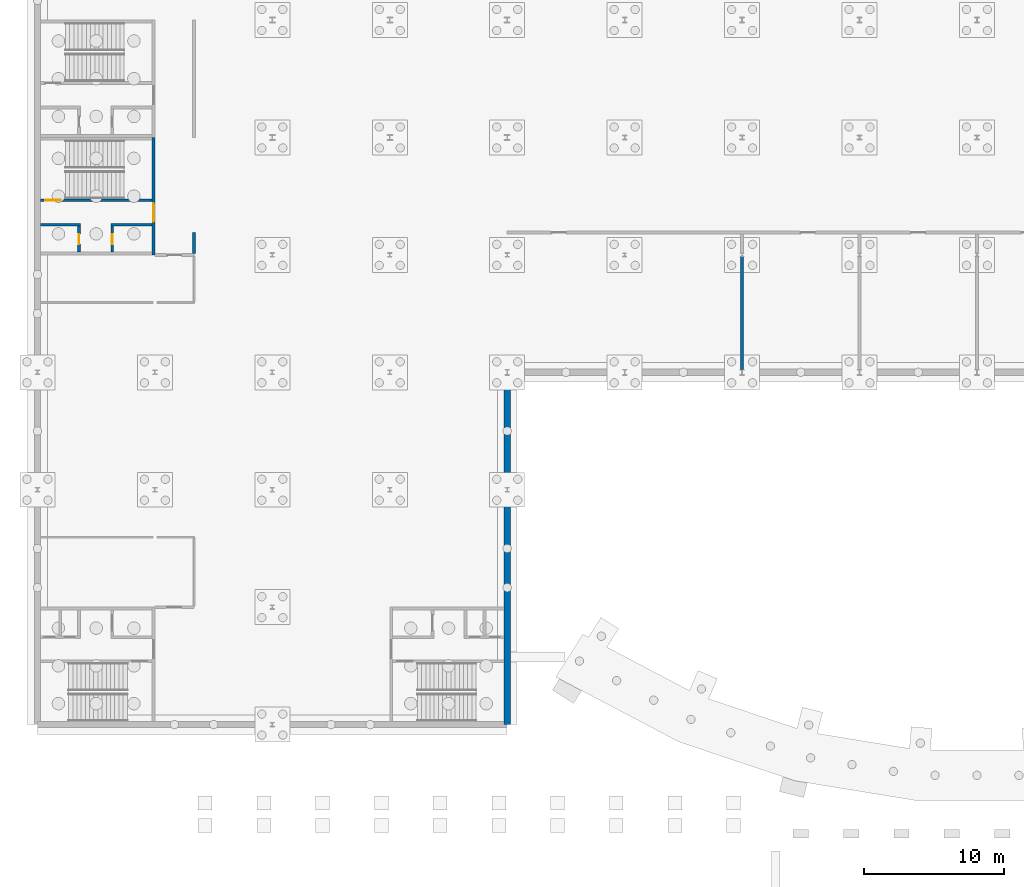
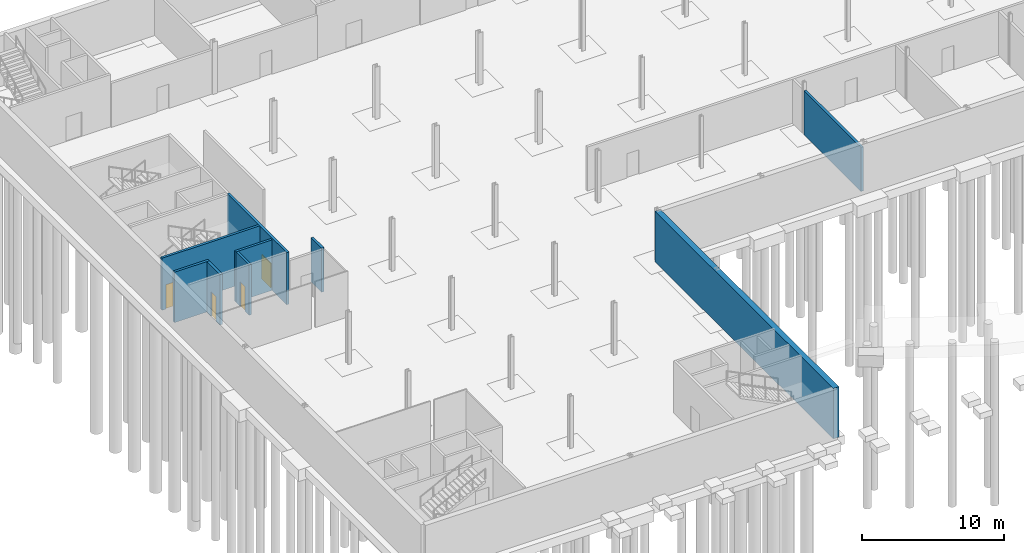
# One storey, part 21 of 35: 9 walls, 4 doors, 4 openings.
"""IFC4 building model written with IfcOpenShell, lengths in metres."""

import ifcopenshell
import ifcopenshell.guid

model = None  # the IFC model being written
_history = None  # IfcOwnerHistory: only IFC2X3 demands one
_inside = {}  # id of a spatial element -> (the spatial element, [elements in it])
_under = {}  # id of a project, library or spatial element -> (it, [spatial elements below it])
_declared = {}  # id of a project -> (the project, [libraries it declares])
_typed = {}  # id of a type object -> (the type object, [elements of that type])
_made_of = {}  # id of a material, layer set ... -> (it, [elements and type objects made of it])


def new_model(schema):
    """Start an empty IFC model of exactly this schema.

    Asked for "IFC4X3", IfcOpenShell would pick the latest addendum, in which some entities
    have other attributes; the version numbers below select the first issue.
    IFC2X3 requires an IfcOwnerHistory on every rooted entity: one is made here for all.
    """
    global model, _history
    if schema == "IFC4X3":
        model = ifcopenshell.file(schema_version=(4, 3, 0, 0))
    else:
        model = ifcopenshell.file(schema=schema)
    _inside.clear()
    _under.clear()
    _declared.clear()
    _typed.clear()
    _made_of.clear()
    _history = None
    if model.schema == "IFC2X3":
        org = make("IfcOrganization", Name="unknown")
        user = make(
            "IfcPersonAndOrganization",
            ThePerson=make("IfcPerson", FamilyName="unknown"),
            TheOrganization=org,
        )
        app = make(
            "IfcApplication",
            ApplicationDeveloper=org,
            Version="unknown",
            ApplicationFullName="unknown",
            ApplicationIdentifier="unknown",
        )
        _history = make(
            "IfcOwnerHistory",
            OwningUser=user,
            OwningApplication=app,
            ChangeAction="ADDED",
            CreationDate=0,
        )
    return model


def make(cls, **values):
    """One entity of the class cls with the attributes given. An attribute that is None is left unset."""
    return model.create_entity(
        cls, **{name: value for name, value in values.items() if value is not None}
    )


def rooted(cls, **values):
    """An entity with a GlobalId (a new one), such as an element, a storey or a relation."""
    return make(cls, GlobalId=ifcopenshell.guid.new(), OwnerHistory=_history, **values)


def si_unit(unit_type, name, prefix=None):
    """IfcSIUnit, for example si_unit("LENGTHUNIT", "METRE", prefix="MILLI")."""
    return make("IfcSIUnit", UnitType=unit_type, Prefix=prefix, Name=name)


def assignment(units):
    """IfcUnitAssignment: the units of a project."""
    return None if units is None else make("IfcUnitAssignment", Units=units)


def point(xyz):
    """IfcCartesianPoint."""
    return None if xyz is None else make("IfcCartesianPoint", Coordinates=xyz)


def direction(xyz):
    """IfcDirection."""
    return None if xyz is None else make("IfcDirection", DirectionRatios=xyz)


def frame(location, z_axis=None, x_axis=None):
    """IfcAxis2Placement3D, a coordinate frame: its origin and axes. An axis left out is left unset."""
    return make(
        "IfcAxis2Placement3D",
        Location=point(location),
        Axis=direction(z_axis),
        RefDirection=direction(x_axis),
    )


def frame_2d(location, x_axis=None):
    """IfcAxis2Placement2D, a coordinate frame in the plane: its origin and x axis."""
    return make(
        "IfcAxis2Placement2D", Location=point(location), RefDirection=direction(x_axis)
    )


def origin():
    """The frame at (0, 0, 0) with its axes left unset."""
    return frame((0.0, 0.0, 0.0))


def place(relative_to, where):
    """IfcLocalPlacement: puts the frame where relative to a parent placement (None: the world)."""
    return make(
        "IfcLocalPlacement", PlacementRelTo=relative_to, RelativePlacement=where
    )


def context(
    kind, dimensions, precision=None, world=None, true_north=None, identifier=None
):
    """IfcGeometricRepresentationContext, for example the 3D "Model" context."""
    return make(
        "IfcGeometricRepresentationContext",
        ContextIdentifier=identifier,
        ContextType=kind,
        CoordinateSpaceDimension=dimensions,
        Precision=precision,
        WorldCoordinateSystem=world,
        TrueNorth=true_north,
    )


def subcontext(parent, identifier, kind, view, scale=None):
    """IfcGeometricRepresentationSubContext, for example "Body" below "Model"."""
    return make(
        "IfcGeometricRepresentationSubContext",
        ContextIdentifier=identifier,
        ContextType=kind,
        ParentContext=parent,
        TargetScale=scale,
        TargetView=view,
    )


def project(units=None, contexts=None):
    """IfcProject with its units and contexts."""
    return rooted(
        "IfcProject",
        Name="project",
        RepresentationContexts=contexts,
        UnitsInContext=assignment(units),
    )


def spatial(cls, under=None, at=None, **own):
    """A site, building, storey or space (cls), placed at a placement, below another one or the project."""
    s = rooted(cls, ObjectPlacement=at, **own)
    if under is not None:
        _under.setdefault(under.id(), (under, []))[1].append(s)
    return s


def profile(cls, at=None, kind="AREA", **sizes):
    """A parametric profile (cls). Its sizes go by their IFC names, for example OverallWidth=200.0."""
    return make(cls, ProfileType=kind, Position=at, **sizes)


def rectangle(**sizes):
    """IfcRectangleProfileDef."""
    return profile("IfcRectangleProfileDef", **sizes)


def extrude(swept, where, along, depth):
    """IfcExtrudedAreaSolid: the profile swept, set in the frame where, extruded along a direction by depth."""
    return make(
        "IfcExtrudedAreaSolid",
        SweptArea=swept,
        Position=where,
        ExtrudedDirection=direction(along),
        Depth=depth,
    )


def shape(context_of_items, identifier, shape_type, items):
    """IfcShapeRepresentation: the items that make up one representation, for example the "Body"."""
    return make(
        "IfcShapeRepresentation",
        ContextOfItems=context_of_items,
        RepresentationIdentifier=identifier,
        RepresentationType=shape_type,
        Items=items,
    )


def material(Name=None, Category=None):
    """IfcMaterial."""
    return make("IfcMaterial", Name=Name, Category=Category)


def layer(
    of_material, thickness, ventilated=None, Name=None, Category=None, Priority=None
):
    """IfcMaterialLayer: one layer of a wall or slab, of a material (None: an air gap)."""
    return make(
        "IfcMaterialLayer",
        Material=of_material,
        LayerThickness=thickness,
        IsVentilated=ventilated,
        Name=Name,
        Category=Category,
        Priority=Priority,
    )


def layer_set(layers, Name=None):
    """IfcMaterialLayerSet."""
    return make("IfcMaterialLayerSet", MaterialLayers=layers, LayerSetName=Name)


def made_of(thing, what):
    """Note that an element or type object is made of a material, layer set ...; save() writes the relation."""
    if what is not None:
        _made_of.setdefault(what.id(), (what, []))[1].append(thing)
    return thing


def type_object(cls, material=None, **own):
    """A type object (cls), such as IfcWallType, which elements share."""
    return made_of(rooted(cls, **own), material)


def element(
    cls,
    number,
    at=None,
    inside=None,
    cuts=None,
    type_object=None,
    material=None,
    context=None,
    identifier="Body",
    shape_type=None,
    held_by="IfcProductDefinitionShape",
    body=None,
    shapes=None,
    **own,
):
    """One element of the class cls, such as IfcWall. Its Tag is "e" and its number.

    at: its placement. inside: the storey or other place that contains it. cuts: it is an
    opening in that element (IfcRelVoidsElement). A single representation is given by context,
    identifier, shape_type and body (its items); several are given by shapes. held_by: the class
    of the entity that holds the representations. save() writes the other relations.
    """
    e = rooted(cls, Tag="e%d" % number, ObjectPlacement=at, **own)
    if body is not None:
        shapes = [shape(context, identifier, shape_type, body)]
    if shapes is not None:
        e.Representation = make(held_by, Representations=shapes)
    if inside is not None:
        _inside.setdefault(inside.id(), (inside, []))[1].append(e)
    if cuts is not None:
        rooted(
            "IfcRelVoidsElement", RelatingBuildingElement=cuts, RelatedOpeningElement=e
        )
    if type_object is not None:
        _typed.setdefault(type_object.id(), (type_object, []))[1].append(e)
    return made_of(e, material)


def fill(opening, filler):
    """IfcRelFillsElement: the door or window that sits in an opening."""
    return rooted(
        "IfcRelFillsElement",
        RelatingOpeningElement=opening,
        RelatedBuildingElement=filler,
    )


def aggregate(whole, parts):
    """IfcRelAggregates: a whole, such as a stair, and the parts it consists of."""
    return rooted("IfcRelAggregates", RelatingObject=whole, RelatedObjects=parts)


def save(model, path):
    """Write the relations noted so far, then the file.

    IfcRelAggregates (storeys below a building ...), IfcRelContainedInSpatialStructure (elements
    in a storey), IfcRelDefinesByType, IfcRelAssociatesMaterial and IfcRelDeclares: one each for
    every whole, place, type object, material and project.
    """
    for whole, parts in _under.values():
        aggregate(whole, parts)
    for where, things in _inside.values():
        rooted(
            "IfcRelContainedInSpatialStructure",
            RelatedElements=things,
            RelatingStructure=where,
        )
    for kind, things in _typed.values():
        rooted("IfcRelDefinesByType", RelatedObjects=things, RelatingType=kind)
    for what, things in _made_of.values():
        rooted("IfcRelAssociatesMaterial", RelatedObjects=things, RelatingMaterial=what)
    for by, libraries in _declared.values():
        rooted("IfcRelDeclares", RelatingContext=by, RelatedDefinitions=libraries)
    model.write(path)


model = new_model("IFC4")

# Units and contexts
model_context = context("Model", 3, precision=1e-05, world=origin(), true_north=direction((0.0, 1.0)))
body_context = subcontext(model_context, "Body", "Model", "MODEL_VIEW")
ifc_project = project(units=[si_unit("LENGTHUNIT", "METRE"), si_unit("AREAUNIT", "SQUARE_METRE"), si_unit("VOLUMEUNIT", "CUBIC_METRE"), si_unit("PLANEANGLEUNIT", "RADIAN"), si_unit("MASSUNIT", "GRAM", prefix="KILO")], contexts=[model_context])

# Site, building, storey
site_placement = place(None, origin())
site = spatial("IfcSite", under=ifc_project, at=site_placement, CompositionType="ELEMENT")
building_placement = place(site_placement, origin())
building = spatial("IfcBuilding", under=site, at=building_placement, Name="Ardhachandra Cancer Care Centre", CompositionType="ELEMENT")
storey_placement = place(building_placement, frame((0.0, 0.0, -4.5)))
storey = spatial("IfcBuildingStorey", under=building, at=storey_placement, Name="B1", CompositionType="ELEMENT", Elevation=-4.5)

# Wall
ifc_material_1 = material(Name="Gypsum board corridor partition on steel studs", Category="steel")
ifc_layer_1 = layer(ifc_material_1, 0.199951171875)
ifc_layer_set_1 = layer_set([ifc_layer_1], Name="Gypsum board corridor partition on steel studs")
wall_type_1 = type_object("IfcWallType", Name="CORRIDOR WALL 200 EI 120", PredefinedType="PARTITIONING", material=ifc_layer_set_1)
wall_1_placement = place(storey_placement, frame((22.0, 63.10009765625, 0.0), z_axis=(0.0, 0.0, 1.0), x_axis=(0.0, 1.0, 0.0)))
element("IfcWall", 1, at=wall_1_placement, inside=storey, type_object=wall_type_1, Name="R/wall/B1/v0022000_0063100", PredefinedType="PARTITIONING", context=body_context, shape_type="SweptSolid", body=[
    extrude(rectangle(XDim=1.5, YDim=0.199951171875, at=frame_2d((0.75, 0.0))), origin(), (0.0, 0.0, 1.0), 3.800048828125),
])

# Wall, opening, door
ifc_material_2 = material(Name="Concrete M40", Category="concrete")
ifc_layer_2 = layer(ifc_material_2, 0.199951171875)
ifc_layer_set_2 = layer_set([ifc_layer_2], Name="Concrete M40")
wall_type_2 = type_object("IfcWallType", Name="Core wall RC 200", PredefinedType="SOLIDWALL", material=ifc_layer_set_2)
wall_2_placement = place(storey_placement, frame((19.10009765625, 71.39990234375, 0.0), z_axis=(0.0, 0.0, 1.0), x_axis=(0.0, -1.0, 0.0)))
wall_2 = element("IfcWall", 2, at=wall_2_placement, inside=storey, type_object=wall_type_2, Name="Core wall K3 ENT", PredefinedType="SOLIDWALL", context=body_context, shape_type="SweptSolid", body=[
    extrude(rectangle(XDim=8.39990234375, YDim=0.199951171875, at=frame_2d((4.199951171875, 0.0))), origin(), (0.0, 0.0, 1.0), 4.5),
])
opening_1_placement = place(wall_2_placement, frame((4.72509765625, 0.0, 0.0)))
opening_1 = element("IfcOpeningElement", 3, at=opening_1_placement, cuts=wall_2, Name="Opening B1-K03-1", PredefinedType="OPENING", context=body_context, shape_type="SweptSolid", body=[
    extrude(rectangle(XDim=1.300048828125, YDim=2.10009765625, at=frame_2d((0.64990234375, 1.050048828125))), frame((0.0, 0.10986328125, 0.0), z_axis=(0.0, -1.0, 0.0), x_axis=(1.0, 0.0, 0.0)), (0.0, 0.0, 1.0), 0.219970703125),
])
ifc_material_3 = material(Name="Steel door set", Category="steel")
door_type_1 = type_object("IfcDoorType", Name="Core entry double door 1300x2100 FD60", OperationType="DOUBLE_DOOR_DOUBLE_SWING", PredefinedType="DOOR", material=ifc_material_3)
door_1_placement = place(opening_1_placement, origin())
door_1 = element("IfcDoor", 4, at=door_1_placement, inside=storey, type_object=door_type_1, Name="Core entry door", OperationType="DOUBLE_DOOR_DOUBLE_SWING", OverallHeight=2.10009765625, OverallWidth=1.300048828125, PredefinedType="DOOR", context=body_context, shape_type="SweptSolid", body=[
    extrude(rectangle(XDim=1.300048828125, YDim=2.10009765625, at=frame_2d((0.64990234375, 1.050048828125))), frame((0.0, 0.02490234375, 0.0), z_axis=(0.0, -1.0, 0.0), x_axis=(1.0, 0.0, 0.0)), (0.0, 0.0, 1.0), 0.050048828125),
])
fill(opening_1, door_1)

wall_3_placement = place(storey_placement, frame((19.0, 66.89990234375, 0.0), z_axis=(0.0, 0.0, 1.0), x_axis=(-1.0, 0.0, 0.0)))
wall_3 = element("IfcWall", 5, at=wall_3_placement, inside=storey, type_object=wall_type_2, Name="Core wall K3 P1", PredefinedType="SOLIDWALL", context=body_context, shape_type="SweptSolid", body=[
    extrude(rectangle(XDim=7.97509765625, YDim=0.199951171875, at=frame_2d((3.987548828125, 0.0))), origin(), (0.0, 0.0, 1.0), 4.5),
])
opening_2_placement = place(wall_3_placement, frame((6.53759765625, 0.0, 0.0)))
opening_2 = element("IfcOpeningElement", 6, at=opening_2_placement, cuts=wall_3, Name="Opening B1-K03-2", PredefinedType="OPENING", context=body_context, shape_type="SweptSolid", body=[
    extrude(rectangle(XDim=1.10009765625, YDim=2.10009765625, at=frame_2d((0.550048828125, 1.050048828125))), frame((0.0, 0.10986328125, 0.0), z_axis=(0.0, -1.0, 0.0), x_axis=(1.0, 0.0, 0.0)), (0.0, 0.0, 1.0), 0.219970703125),
])
ifc_material_4 = material(Name="Steel door set", Category="steel")
door_type_2 = type_object("IfcDoorType", Name="Stair door 1100x2100 FD60S", OperationType="NOTDEFINED", PredefinedType="DOOR", material=ifc_material_4)
door_2_placement = place(opening_2_placement, origin())
door_2 = element("IfcDoor", 7, at=door_2_placement, inside=storey, type_object=door_type_2, Name="Stair door", OperationType="SINGLE_SWING_LEFT", OverallHeight=2.10009765625, OverallWidth=1.10009765625, PredefinedType="DOOR", context=body_context, shape_type="SweptSolid", body=[
    extrude(rectangle(XDim=1.10009765625, YDim=2.10009765625, at=frame_2d((0.550048828125, 1.050048828125))), frame((0.0, 0.02490234375, 0.0), z_axis=(0.0, -1.0, 0.0), x_axis=(1.0, 0.0, 0.0)), (0.0, 0.0, 1.0), 0.050048828125),
])
fill(opening_2, door_2)

# Walls
wall_4_placement = place(storey_placement, frame((19.0, 65.14990234375, 0.0), z_axis=(0.0, 0.0, 1.0), x_axis=(-1.0, 0.0, 0.0)))
element("IfcWall", 8, at=wall_4_placement, inside=storey, type_object=wall_type_2, Name="Core wall K3 P2A", PredefinedType="SOLIDWALL", context=body_context, shape_type="SweptSolid", body=[
    extrude(rectangle(XDim=2.949951171875, YDim=0.199951171875, at=frame_2d((1.47509765625, 0.0))), origin(), (0.0, 0.0, 1.0), 4.35009765625),
])
wall_5_placement = place(storey_placement, frame((13.875, 65.14990234375, 0.0), z_axis=(0.0, 0.0, 1.0), x_axis=(-1.0, 0.0, 0.0)))
element("IfcWall", 9, at=wall_5_placement, inside=storey, type_object=wall_type_2, Name="Core wall K3 P2B", PredefinedType="SOLIDWALL", context=body_context, shape_type="SweptSolid", body=[
    extrude(rectangle(XDim=2.85009765625, YDim=0.199951171875, at=frame_2d((1.425048828125, 0.0))), origin(), (0.0, 0.0, 1.0), 4.35009765625),
])

# Wall, opening, door
wall_6_placement = place(storey_placement, frame((16.14990234375, 65.050048828125, 0.0), z_axis=(0.0, 0.0, 1.0), x_axis=(0.0, -1.0, 0.0)))
wall_6 = element("IfcWall", 10, at=wall_6_placement, inside=storey, type_object=wall_type_2, Name="Core wall K3 W1", PredefinedType="SOLIDWALL", context=body_context, shape_type="SweptSolid", body=[
    extrude(rectangle(XDim=1.85009765625, YDim=0.199951171875, at=frame_2d((0.925048828125, 0.0))), origin(), (0.0, 0.0, 1.0), 4.35009765625),
])
opening_3_placement = place(wall_6_placement, frame((0.574951171875, 0.0, 0.0)))
opening_3 = element("IfcOpeningElement", 11, at=opening_3_placement, cuts=wall_6, Name="Opening B1-K03-3", PredefinedType="OPENING", context=body_context, shape_type="SweptSolid", body=[
    extrude(rectangle(XDim=0.699951171875, YDim=2.10009765625, at=frame_2d((0.35009765625, 1.050048828125))), frame((0.0, 0.10986328125, 0.0), z_axis=(0.0, -1.0, 0.0), x_axis=(1.0, 0.0, 0.0)), (0.0, 0.0, 1.0), 0.219970703125),
])
ifc_material_5 = material(Name="Steel door set", Category="steel")
door_type_3 = type_object("IfcDoorType", Name="Riser access door 700x2100 FD120S", OperationType="NOTDEFINED", PredefinedType="DOOR", material=ifc_material_5)
door_3_placement = place(opening_3_placement, origin())
door_3 = element("IfcDoor", 12, at=door_3_placement, inside=storey, type_object=door_type_3, Name="Riser access door", OperationType="SINGLE_SWING_RIGHT", OverallHeight=2.10009765625, OverallWidth=0.699951171875, PredefinedType="DOOR", context=body_context, shape_type="SweptSolid", body=[
    extrude(rectangle(XDim=0.699951171875, YDim=2.10009765625, at=frame_2d((0.35009765625, 1.050048828125))), frame((0.0, 0.02490234375, 0.0), z_axis=(0.0, -1.0, 0.0), x_axis=(1.0, 0.0, 0.0)), (0.0, 0.0, 1.0), 0.050048828125),
])
fill(opening_3, door_3)

wall_7_placement = place(storey_placement, frame((13.77490234375, 65.050048828125, 0.0), z_axis=(0.0, 0.0, 1.0), x_axis=(0.0, -1.0, 0.0)))
wall_7 = element("IfcWall", 13, at=wall_7_placement, inside=storey, type_object=wall_type_2, Name="Core wall K3 W2", PredefinedType="SOLIDWALL", context=body_context, shape_type="SweptSolid", body=[
    extrude(rectangle(XDim=1.85009765625, YDim=0.199951171875, at=frame_2d((0.925048828125, 0.0))), origin(), (0.0, 0.0, 1.0), 4.35009765625),
])
opening_4_placement = place(wall_7_placement, frame((0.574951171875, 0.0, 0.0)))
opening_4 = element("IfcOpeningElement", 14, at=opening_4_placement, cuts=wall_7, Name="Opening B1-K03-4", PredefinedType="OPENING", context=body_context, shape_type="SweptSolid", body=[
    extrude(rectangle(XDim=0.699951171875, YDim=2.10009765625, at=frame_2d((0.35009765625, 1.050048828125))), frame((0.0, 0.10986328125, 0.0), z_axis=(0.0, -1.0, 0.0), x_axis=(1.0, 0.0, 0.0)), (0.0, 0.0, 1.0), 0.219970703125),
])
door_4_placement = place(opening_4_placement, origin())
door_4 = element("IfcDoor", 15, at=door_4_placement, inside=storey, type_object=door_type_3, Name="Riser access door", OperationType="SINGLE_SWING_RIGHT", OverallHeight=2.10009765625, OverallWidth=0.699951171875, PredefinedType="DOOR", context=body_context, shape_type="SweptSolid", body=[
    extrude(rectangle(XDim=0.699951171875, YDim=2.10009765625, at=frame_2d((0.35009765625, 1.050048828125))), frame((0.0, 0.02490234375, 0.0), z_axis=(0.0, -1.0, 0.0), x_axis=(1.0, 0.0, 0.0)), (0.0, 0.0, 1.0), 0.050048828125),
])
fill(opening_4, door_4)

# Walls
ifc_material_6 = material(Name="Brick masonry", Category="masonry")
ifc_layer_3 = layer(ifc_material_6, 0.199951171875)
ifc_layer_set_3 = layer_set([ifc_layer_3], Name="Brick masonry")
wall_type_3 = type_object("IfcWallType", Name="PLANT ROOM WALL 200", PredefinedType="SOLIDWALL", material=ifc_layer_set_3)
wall_8_placement = place(storey_placement, frame((61.199951171875, 54.800048828125, 0.0), z_axis=(0.0, 0.0, 1.0), x_axis=(0.0, 1.0, 0.0)))
element("IfcWall", 16, at=wall_8_placement, inside=storey, type_object=wall_type_3, Name="R/wall/B1/v0061200_0054800", PredefinedType="SOLIDWALL", context=body_context, shape_type="SweptSolid", body=[
    extrude(rectangle(XDim=8.079833984375, YDim=0.199951171875, at=frame_2d((4.0400390625, 0.0))), origin(), (0.0, 0.0, 1.0), 3.800048828125),
])
ifc_material_7 = material(Name="Concrete M40", Category="concrete")
ifc_layer_4 = layer(ifc_material_7, 0.449951171875)
ifc_layer_set_4 = layer_set([ifc_layer_4], Name="Concrete M40")
wall_type_4 = type_object("IfcWallType", Name="Retaining wall 450", PredefinedType="SOLIDWALL", material=ifc_layer_set_4)
wall_9_placement = place(storey_placement, frame((44.39990234375, 29.39990234375, 0.0), z_axis=(0.0, 0.0, 1.0), x_axis=(0.0, 1.0, 0.0)))
element("IfcWall", 17, at=wall_9_placement, inside=storey, type_object=wall_type_4, Name="Basement retaining wall 11", PredefinedType="SOLIDWALL", context=body_context, shape_type="SweptSolid", body=[
    extrude(rectangle(XDim=25.2001953125, YDim=0.449951171875, at=frame_2d((12.60009765625, 0.0))), origin(), (0.0, 0.0, 1.0), 4.35009765625),
])

save(model, "model.ifc")
